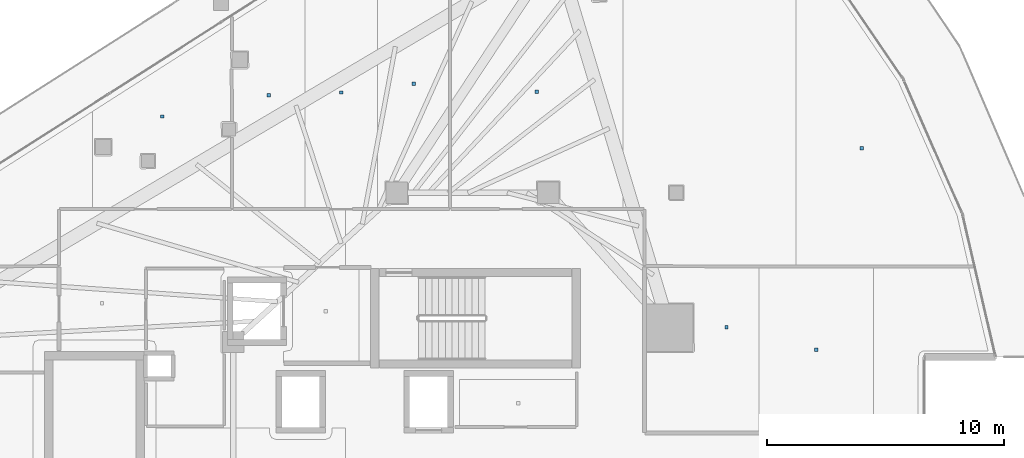
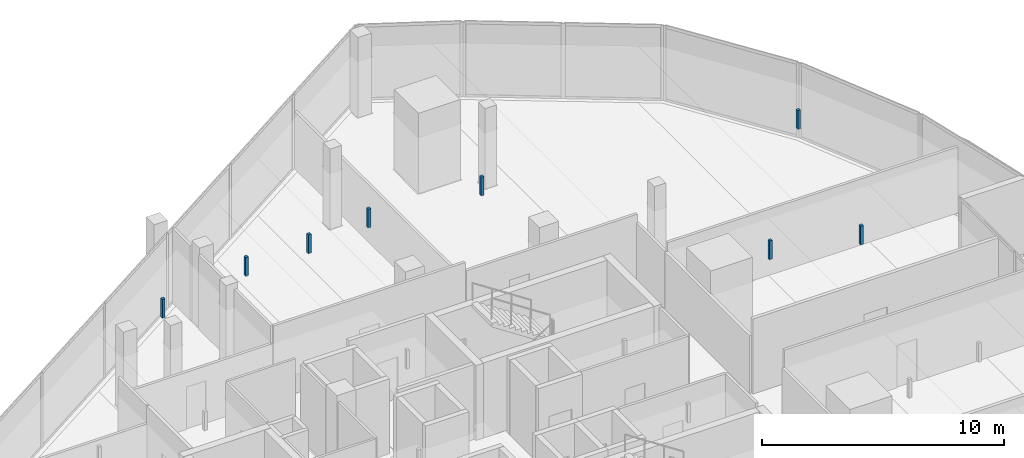
# One storey, part 30 of 36: 8 discrete accessories.
"""IFC4 building model written with IfcOpenShell, lengths in metres."""

from ifc_helpers import new_model, si_unit, direction, frame, origin, origin_2d, place, context, subcontext, project, spatial, rectangle, extrude, material, type_object, element, save


model = new_model("IFC4")

# Units and contexts
model_context = context("Model", 3, precision=1e-05, world=origin(), true_north=direction((0.0, 1.0)))
body_context = subcontext(model_context, "Body", "Model", "MODEL_VIEW")
ifc_project = project(units=[si_unit("LENGTHUNIT", "METRE"), si_unit("AREAUNIT", "SQUARE_METRE"), si_unit("VOLUMEUNIT", "CUBIC_METRE"), si_unit("PLANEANGLEUNIT", "RADIAN"), si_unit("MASSUNIT", "GRAM", prefix="KILO")], contexts=[model_context])

# Site, building, storey
site_placement = place(None, origin())
site = spatial("IfcSite", under=ifc_project, at=site_placement, CompositionType="ELEMENT")
building_placement = place(site_placement, origin())
building = spatial("IfcBuilding", under=site, at=building_placement, Name="Qorvath Tower", CompositionType="ELEMENT")
storey_placement = place(building_placement, frame((0.0, 0.0, 205.050048828125)))
storey = spatial("IfcBuildingStorey", under=building, at=storey_placement, Name="L47", CompositionType="ELEMENT", Elevation=205.050048828125)

# Discrete accessories
ifc_material = material(Name="Galvanised steel bracket", Category="steel")
discrete_accessory_type = type_object("IfcDiscreteAccessoryType", Name="DA-BRACKET", PredefinedType="BRACKET", material=ifc_material)
for number, where, z_axis, x_axis, name in (
    (1, (-33.496826171875, 14.670166015625, 2.85986328125), (0.0, 0.0, 1.0), (1.0, 0.0, 0.0), "Acoustic Ceiling Suspension Hanger T1-L47-011"),
    (2, (-29.00634765625, 15.56689453125, 2.85986328125), (0.0, 0.0, 1.0), (1.0, 0.0, 0.0), "Acoustic Ceiling Suspension Hanger T1-L47-012"),
    (3, (-25.9453125, 15.685546875, 2.85986328125), (0.0, 0.0, 1.0), (1.0, 0.0, 0.0), "Acoustic Ceiling Suspension Hanger T1-L47-013"),
    (4, (-22.882568359375, 16.05126953125, 2.85986328125), (0.0, 0.0, 1.0), (1.0, 0.0, 0.0), "Acoustic Ceiling Suspension Hanger T1-L47-014"),
    (5, (-17.68701171875, 15.712646484375, 2.85986328125), (0.0, 0.0, 1.0), (1.0, 0.0, 0.0), "Acoustic Ceiling Suspension Hanger T1-L47-015"),
    (6, (-3.968505859375, 13.32421875, 2.85986328125), (0.0, 0.0, 1.0), (1.0, 0.0, 0.0), "Acoustic Ceiling Suspension Hanger T1-L47-017"),
    (7, (-9.674560546875, 5.779052734375, 2.85986328125), (0.0, 0.0, 1.0), (1.0, 0.0, 0.0), "Acoustic Ceiling Suspension Hanger T1-L47-029"),
    (8, (-5.886962890625, 4.819091796875, 2.85986328125), (0.0, 0.0, 1.0), (1.0, 0.0, 0.0), "Acoustic Ceiling Suspension Hanger T1-L47-030"),
):
    element("IfcDiscreteAccessory", number, at=place(storey_placement, frame(where, z_axis=z_axis, x_axis=x_axis)), inside=storey, type_object=discrete_accessory_type, Name=name, PredefinedType="NOTDEFINED", context=body_context, shape_type="SweptSolid", body=[
        extrude(rectangle(XDim=0.139892578125, YDim=0.139892578125, at=origin_2d()), origin(), (0.0, 0.0, 1.0), 0.9501953125),
    ])

save(model, "model.ifc")
